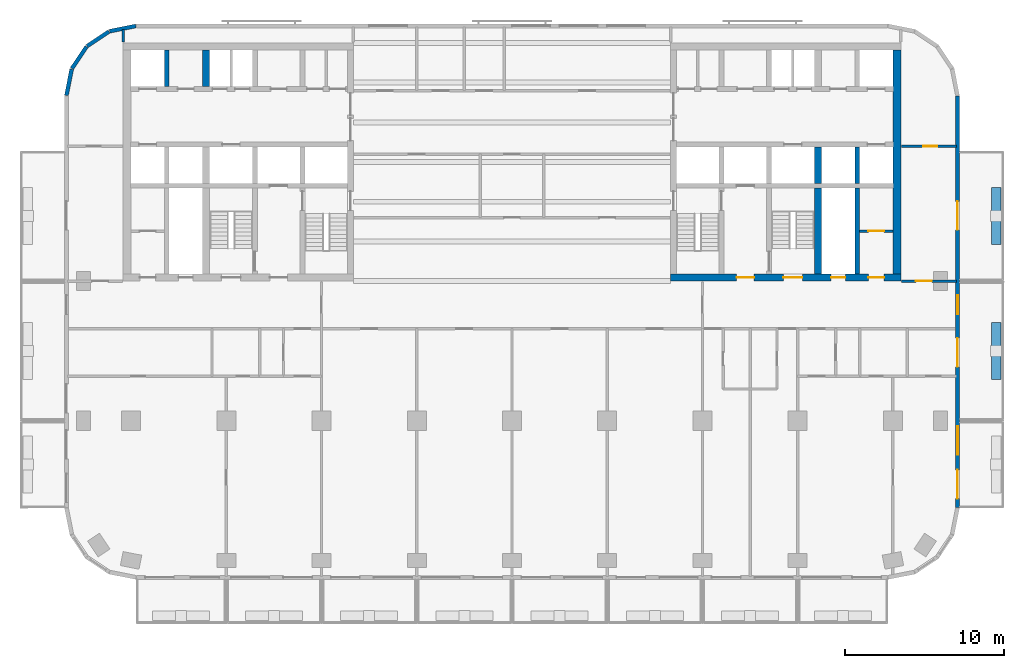
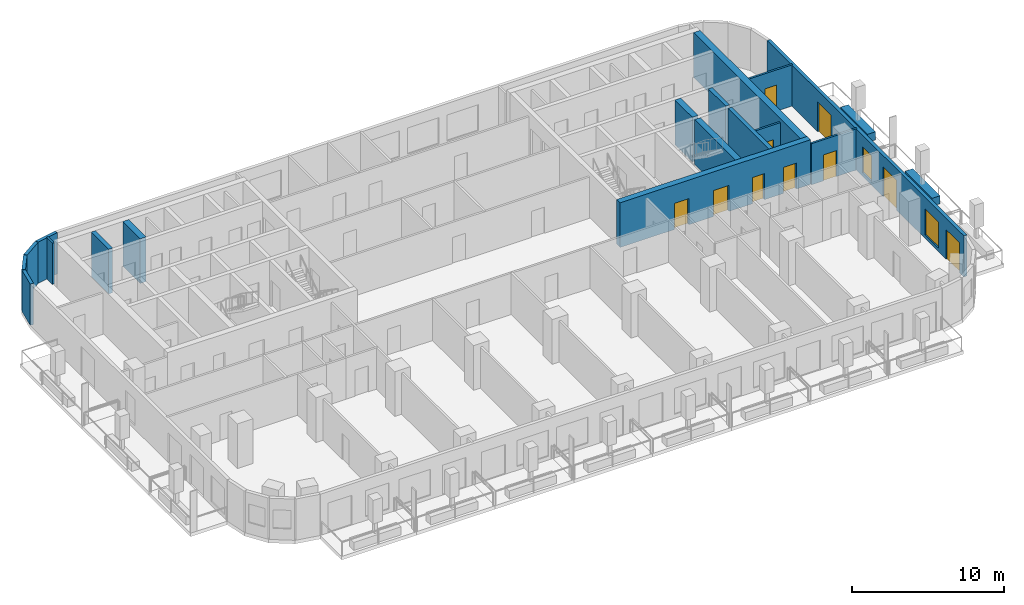
# One storey, part 6 of 12: 19 walls, 10 doors, 2 windows, 12 openings.
"""IFC4 building model written with IfcOpenShell, lengths in metres."""

from ifc_helpers import new_model, si_unit, direction, frame, frame_2d, origin, place, context, subcontext, project, spatial, rectangle, extrude, material, layer, layer_set, type_object, element, fill, save


model = new_model("IFC4")

# Units and contexts
model_context = context("Model", 3, precision=1e-05, world=origin(), true_north=direction((0.0, 1.0)))
body_context = subcontext(model_context, "Body", "Model", "MODEL_VIEW")
ifc_project = project(units=[si_unit("LENGTHUNIT", "METRE"), si_unit("AREAUNIT", "SQUARE_METRE"), si_unit("VOLUMEUNIT", "CUBIC_METRE"), si_unit("PLANEANGLEUNIT", "RADIAN"), si_unit("MASSUNIT", "GRAM", prefix="KILO")], contexts=[model_context])

# Site, building, storey
site_placement = place(None, origin())
site = spatial("IfcSite", under=ifc_project, at=site_placement, CompositionType="ELEMENT")
building_placement = place(site_placement, origin())
building = spatial("IfcBuilding", under=site, at=building_placement, Name="Torana Hotel and Residences", CompositionType="ELEMENT")
storey_placement = place(building_placement, frame((0.0, 0.0, 159.60009765625)))
storey = spatial("IfcBuildingStorey", under=building, at=storey_placement, Name="L41", CompositionType="ELEMENT", Elevation=159.60009765625)

# Walls
ifc_material_1 = material(Name="Concrete C70/85", Category="concrete")
ifc_layer_1 = layer(ifc_material_1, 0.300048828125)
ifc_layer_set_1 = layer_set([ifc_layer_1], Name="CORE WALL 300 C70/85")
wall_type_1 = type_object("IfcWallType", Name="CORE WALL 300 C70/85", PredefinedType="SHEAR", material=ifc_layer_set_1)
for number, where, z_axis, x_axis, name in (
    (1, (-21.75, -2.75, 0.0), (0.0, 0.0, 1.0), (0.0, 1.0, 0.0), "Core wall W mm-N"),
    (2, (21.75, -8.85009765625, 0.0), (0.0, 0.0, 1.0), (0.0, 1.0, 0.0), "Core wall E mm-S"),
):
    element("IfcWall", number, at=place(storey_placement, frame(where, z_axis=z_axis, x_axis=x_axis)), inside=storey, type_object=wall_type_1, Name=name, PredefinedType="SHEAR", context=body_context, shape_type="SweptSolid", body=[
        extrude(rectangle(XDim=2.300048828125, YDim=0.300048828125, at=frame_2d((1.14990234375, 0.0))), origin(), (0.0, 0.0, 1.0), 3.599853515625),
    ])
wall_1_placement = place(storey_placement, frame((21.75, -14.550048828125, 0.0), z_axis=(0.0, 0.0, 1.0), x_axis=(0.0, 1.0, 0.0)))
element("IfcWall", 3, at=wall_1_placement, inside=storey, type_object=wall_type_1, Name="Core wall E mm-band", PredefinedType="SHEAR", context=body_context, shape_type="SweptSolid", body=[
    extrude(rectangle(XDim=5.400146484375, YDim=0.300048828125, at=frame_2d((2.7001953125, 0.0))), origin(), (0.0, 0.0, 1.0), 3.599853515625),
])
ifc_material_2 = material(Name="Concrete C70/85", Category="concrete")
ifc_layer_2 = layer(ifc_material_2, 0.449951171875)
ifc_layer_set_2 = layer_set([ifc_layer_2], Name="CORE WALL 450 C70/85")
wall_type_2 = type_object("IfcWallType", Name="CORE WALL 450 C70/85", PredefinedType="SHEAR", material=ifc_layer_set_2)
wall_2_placement = place(storey_placement, frame((-19.27490234375, -2.75, 0.0), z_axis=(0.0, 0.0, 1.0), x_axis=(0.0, 1.0, 0.0)))
element("IfcWall", 4, at=wall_2_placement, inside=storey, type_object=wall_type_2, Name="Core wall W hm-N", PredefinedType="SHEAR", context=body_context, shape_type="SweptSolid", body=[
    extrude(rectangle(XDim=2.300048828125, YDim=0.449951171875, at=frame_2d((1.14990234375, 0.0))), origin(), (0.0, 0.0, 1.0), 3.599853515625),
])

# Wall, openings, doors
wall_3_placement = place(storey_placement, frame((10.0, -14.77490234375, 0.0), z_axis=(0.0, 0.0, 1.0), x_axis=(1.0, 0.0, 0.0)))
wall_3 = element("IfcWall", 5, at=wall_3_placement, inside=storey, type_object=wall_type_2, Name="Core wall E front", PredefinedType="SHEAR", context=body_context, shape_type="SweptSolid", body=[
    extrude(rectangle(XDim=14.5, YDim=0.449951171875, at=frame_2d((7.25, 0.0))), origin(), (0.0, 0.0, 1.0), 3.599853515625),
])
opening_1_placement = place(wall_3_placement, frame((7.10009765625, 0.0, 0.0)))
opening_1 = element("IfcOpeningElement", 6, at=opening_1_placement, cuts=wall_3, Name="Opening L41-19", PredefinedType="OPENING", context=body_context, shape_type="SweptSolid", body=[
    extrude(rectangle(XDim=1.199951171875, YDim=2.10009765625, at=frame_2d((0.60009765625, 1.050048828125))), frame((0.0, 0.23486328125, 0.0), z_axis=(0.0, -1.0, 0.0), x_axis=(1.0, 0.0, 0.0)), (0.0, 0.0, 1.0), 0.469970703125),
])
opening_2_placement = place(wall_3_placement, frame((4.14990234375, 0.0, 0.0)))
opening_2 = element("IfcOpeningElement", 7, at=opening_2_placement, cuts=wall_3, Name="Opening L41-20", PredefinedType="OPENING", context=body_context, shape_type="SweptSolid", body=[
    extrude(rectangle(XDim=1.10009765625, YDim=2.10009765625, at=frame_2d((0.550048828125, 1.050048828125))), frame((0.0, 0.23486328125, 0.0), z_axis=(0.0, -1.0, 0.0), x_axis=(1.0, 0.0, 0.0)), (0.0, 0.0, 1.0), 0.469970703125),
])
opening_3_placement = place(wall_3_placement, frame((10.10009765625, 0.0, 0.0)))
opening_3 = element("IfcOpeningElement", 8, at=opening_3_placement, cuts=wall_3, Name="Opening L41-21", PredefinedType="OPENING", context=body_context, shape_type="SweptSolid", body=[
    extrude(rectangle(XDim=0.89990234375, YDim=2.10009765625, at=frame_2d((0.449951171875, 1.050048828125))), frame((0.0, 0.23486328125, 0.0), z_axis=(0.0, -1.0, 0.0), x_axis=(1.0, 0.0, 0.0)), (0.0, 0.0, 1.0), 0.469970703125),
])
opening_4_placement = place(wall_3_placement, frame((12.449951171875, 0.0, 0.0)))
opening_4 = element("IfcOpeningElement", 9, at=opening_4_placement, cuts=wall_3, Name="Opening L41-22", PredefinedType="OPENING", context=body_context, shape_type="SweptSolid", body=[
    extrude(rectangle(XDim=1.0, YDim=2.10009765625, at=frame_2d((0.5, 1.050048828125))), frame((0.0, 0.23486328125, 0.0), z_axis=(0.0, -1.0, 0.0), x_axis=(1.0, 0.0, 0.0)), (0.0, 0.0, 1.0), 0.469970703125),
])
ifc_material_3 = material(Name="Steel S235", Category="steel")
door_type_1 = type_object("IfcDoorType", Name="CORE ROOM FIRE DOOR D14 1000x2100", OperationType="SINGLE_SWING_LEFT", PredefinedType="DOOR", material=ifc_material_3)
door_1_placement = place(opening_4_placement, origin())
door_1 = element("IfcDoor", 10, at=door_1_placement, inside=storey, type_object=door_type_1, Name="M-Room-B door L41", OperationType="SINGLE_SWING_RIGHT", OverallHeight=2.10009765625, OverallWidth=1.0, PredefinedType="DOOR", context=body_context, shape_type="SweptSolid", body=[
    extrude(rectangle(XDim=1.0, YDim=2.10009765625, at=frame_2d((0.5, 1.050048828125))), frame((0.0, 0.02490234375, 0.0), z_axis=(0.0, -1.0, 0.0), x_axis=(1.0, 0.0, 0.0)), (0.0, 0.0, 1.0), 0.050048828125),
])
fill(opening_4, door_1)
ifc_material_4 = material(Name="Steel S235", Category="steel")
door_type_2 = type_object("IfcDoorType", Name="FIRE-FIGHTING LOBBY DOOR D8 1100x2100", OperationType="SINGLE_SWING_LEFT", PredefinedType="DOOR", material=ifc_material_4)
door_2_placement = place(opening_2_placement, origin())
door_2 = element("IfcDoor", 11, at=door_2_placement, inside=storey, type_object=door_type_2, Name="FF-lobby door L41", OperationType="SINGLE_SWING_RIGHT", OverallHeight=2.10009765625, OverallWidth=1.10009765625, PredefinedType="DOOR", context=body_context, shape_type="SweptSolid", body=[
    extrude(rectangle(XDim=1.10009765625, YDim=2.10009765625, at=frame_2d((0.550048828125, 1.050048828125))), frame((0.0, 0.02490234375, 0.0), z_axis=(0.0, -1.0, 0.0), x_axis=(1.0, 0.0, 0.0)), (0.0, 0.0, 1.0), 0.050048828125),
])
fill(opening_2, door_2)
ifc_material_5 = material(Name="Steel S235", Category="steel")
door_type_3 = type_object("IfcDoorType", Name="RISER ACCESS DOOR D5 900x2100", OperationType="SINGLE_SWING_LEFT", PredefinedType="DOOR", material=ifc_material_5)
door_3_placement = place(opening_3_placement, origin())
door_3 = element("IfcDoor", 12, at=door_3_placement, inside=storey, type_object=door_type_3, Name="M-Riser door L41", OperationType="SINGLE_SWING_RIGHT", OverallHeight=2.10009765625, OverallWidth=0.89990234375, PredefinedType="DOOR", context=body_context, shape_type="SweptSolid", body=[
    extrude(rectangle(XDim=0.89990234375, YDim=2.10009765625, at=frame_2d((0.449951171875, 1.050048828125))), frame((0.0, 0.02490234375, 0.0), z_axis=(0.0, -1.0, 0.0), x_axis=(1.0, 0.0, 0.0)), (0.0, 0.0, 1.0), 0.050048828125),
])
fill(opening_3, door_3)
ifc_material_6 = material(Name="Steel S235", Category="steel")
door_type_4 = type_object("IfcDoorType", Name="STAIR FIRE DOOR D3 1200x2100", OperationType="SINGLE_SWING_LEFT", PredefinedType="DOOR", material=ifc_material_6)
door_4_placement = place(opening_1_placement, origin())
door_4 = element("IfcDoor", 13, at=door_4_placement, inside=storey, type_object=door_type_4, Name="Stair-B door L41", OperationType="SINGLE_SWING_RIGHT", OverallHeight=2.10009765625, OverallWidth=1.199951171875, PredefinedType="DOOR", context=body_context, shape_type="SweptSolid", body=[
    extrude(rectangle(XDim=1.199951171875, YDim=2.10009765625, at=frame_2d((0.60009765625, 1.050048828125))), frame((0.0, 0.02490234375, 0.0), z_axis=(0.0, -1.0, 0.0), x_axis=(1.0, 0.0, 0.0)), (0.0, 0.0, 1.0), 0.050048828125),
])
fill(opening_1, door_4)

# Walls
wall_4_placement = place(storey_placement, frame((19.27490234375, -8.85009765625, 0.0), z_axis=(0.0, 0.0, 1.0), x_axis=(0.0, 1.0, 0.0)))
element("IfcWall", 14, at=wall_4_placement, inside=storey, type_object=wall_type_2, Name="Core wall E hm-S", PredefinedType="SHEAR", context=body_context, shape_type="SweptSolid", body=[
    extrude(rectangle(XDim=2.300048828125, YDim=0.449951171875, at=frame_2d((1.14990234375, 0.0))), origin(), (0.0, 0.0, 1.0), 3.599853515625),
])
wall_5_placement = place(storey_placement, frame((19.27490234375, -14.550048828125, 0.0), z_axis=(0.0, 0.0, 1.0), x_axis=(0.0, 1.0, 0.0)))
element("IfcWall", 15, at=wall_5_placement, inside=storey, type_object=wall_type_2, Name="Core wall E hm-band", PredefinedType="SHEAR", context=body_context, shape_type="SweptSolid", body=[
    extrude(rectangle(XDim=5.400146484375, YDim=0.449951171875, at=frame_2d((2.7001953125, 0.0))), origin(), (0.0, 0.0, 1.0), 3.599853515625),
])
ifc_material_7 = material(Name="Concrete C70/85", Category="concrete")
ifc_layer_3 = layer(ifc_material_7, 0.5)
ifc_layer_set_3 = layer_set([ifc_layer_3], Name="CORE WALL 500 C70/85")
wall_type_3 = type_object("IfcWallType", Name="CORE WALL 500 C70/85", PredefinedType="SHEAR", material=ifc_layer_set_3)
wall_6_placement = place(storey_placement, frame((24.25, -14.550048828125, 0.0), z_axis=(0.0, 0.0, 1.0), x_axis=(0.0, 1.0, 0.0)))
element("IfcWall", 16, at=wall_6_placement, inside=storey, type_object=wall_type_3, Name="Core wall E outer", PredefinedType="SHEAR", context=body_context, shape_type="SweptSolid", body=[
    extrude(rectangle(XDim=14.10009765625, YDim=0.5, at=frame_2d((7.050048828125, 0.0))), origin(), (0.0, 0.0, 1.0), 3.599853515625),
])
ifc_material_8 = material(Name="Black aluminium composite panel", Category="aluminium")
ifc_layer_4 = layer(ifc_material_8, 0.00390625, Name="Cladding", Category="cladding")
ifc_material_9 = material(Name="Ventilated air cavity")
ifc_layer_5 = layer(ifc_material_9, 0.0400390625, Name="Ventilated cavity", Category="cavity")
ifc_material_10 = material(Name="Mineral wool insulation")
ifc_layer_6 = layer(ifc_material_10, 0.090087890625, Name="Insulation", Category="insulation")
ifc_material_11 = material(Name="Steel S280GD", Category="steel")
ifc_layer_7 = layer(ifc_material_11, 0.092041015625, Name="Steel stud frame", Category="structure")
ifc_material_12 = material(Name="Fire rated plasterboard")
ifc_layer_8 = layer(ifc_material_12, 0.011962890625, Name="Inner board", Category="finish")
ifc_layer_9 = layer(ifc_material_12, 0.011962890625, Name="Second board", Category="finish")
ifc_layer_set_4 = layer_set([ifc_layer_4, ifc_layer_5, ifc_layer_6, ifc_layer_7, ifc_layer_8, ifc_layer_9], Name="EW1 EXTERNAL WALL BLACK METAL CLAD 250")
wall_type_4 = type_object("IfcWallType", Name="EW1 EXTERNAL WALL BLACK METAL CLAD 250", PredefinedType="SOLIDWALL", material=ifc_layer_set_4)
wall_7_placement = place(storey_placement, frame((-23.69970703125, 1.072509765625, 0.0), z_axis=(0.0, 0.0, 1.0), x_axis=(-0.980803419081, -0.194999110559, 0.0)))
element("IfcWall", 17, at=wall_7_placement, inside=storey, type_object=wall_type_4, Name="External wall L41 e0.5", PredefinedType="SOLIDWALL", context=body_context, shape_type="SweptSolid", body=[
    extrude(rectangle(XDim=1.681396484375, YDim=0.25, at=frame_2d((0.8408203125, 0.0))), origin(), (0.0, 0.0, 1.0), 3.31982421875),
])
for number, where, z_axis, x_axis, name in (
    (18, (-25.39404296875, 0.725830078125, 0.0), (0.0, 0.0, 1.0), (-0.831482937015, -0.55555029066, 0.0), "External wall L41 e0.6"),
    (19, (-26.8056640625, -0.228759765625, 0.0), (0.0, 0.0, 1.0), (-0.55555029066, -0.831482937015, 0.0), "External wall L41 e0.7"),
):
    element("IfcWall", number, at=place(storey_placement, frame(where, z_axis=z_axis, x_axis=x_axis)), inside=storey, type_object=wall_type_4, Name=name, PredefinedType="SOLIDWALL", context=body_context, shape_type="SweptSolid", body=[
        extrude(rectangle(XDim=1.65625, YDim=0.25, at=frame_2d((0.828125, 0.0))), origin(), (0.0, 0.0, 1.0), 3.31982421875),
    ])
wall_8_placement = place(storey_placement, frame((-27.74462890625, -1.651123046875, 0.0), z_axis=(0.0, 0.0, 1.0), x_axis=(-0.194999110559, -0.980803419081, 0.0)))
element("IfcWall", 20, at=wall_8_placement, inside=storey, type_object=wall_type_4, Name="External wall L41 e0.8", PredefinedType="SOLIDWALL", context=body_context, shape_type="SweptSolid", body=[
    extrude(rectangle(XDim=1.681396484375, YDim=0.25, at=frame_2d((0.8408203125, 0.0))), origin(), (0.0, 0.0, 1.0), 3.31982421875),
])

# Wall, openings, doors, windows
wall_9_placement = place(storey_placement, frame((28.074951171875, -29.275390625, 0.0), z_axis=(0.0, 0.0, 1.0), x_axis=(0.0, 1.0, 0.0)))
wall_9 = element("IfcWall", 21, at=wall_9_placement, inside=storey, type_object=wall_type_4, Name="External wall L41 e0.19", PredefinedType="SOLIDWALL", context=body_context, shape_type="SweptSolid", body=[
    extrude(rectangle(XDim=25.95068359375, YDim=0.25, at=frame_2d((12.975341796875, 0.0))), origin(), (0.0, 0.0, 1.0), 3.31982421875),
])
opening_5_placement = place(wall_9_placement, frame((0.575439453125, 0.0, 0.0)))
opening_5 = element("IfcOpeningElement", 22, at=opening_5_placement, cuts=wall_9, Name="Opening L41-E09", PredefinedType="OPENING", context=body_context, shape_type="SweptSolid", body=[
    extrude(rectangle(XDim=1.800048828125, YDim=2.39990234375, at=frame_2d((0.89990234375, 1.199951171875))), frame((0.0, 0.135009765625, 0.0), z_axis=(0.0, -1.0, 0.0), x_axis=(1.0, 0.0, 0.0)), (0.0, 0.0, 1.0), 0.27001953125),
])
opening_6_placement = place(wall_9_placement, frame((3.325439453125, 0.0, 0.300048828125)))
opening_6 = element("IfcOpeningElement", 23, at=opening_6_placement, cuts=wall_9, Name="Opening W2", PredefinedType="OPENING", context=body_context, shape_type="SweptSolid", body=[
    extrude(rectangle(XDim=1.800048828125, YDim=2.10009765625, at=frame_2d((0.89990234375, 1.050048828125))), frame((0.0, 0.135009765625, 0.0), z_axis=(0.0, -1.0, 0.0), x_axis=(1.0, 0.0, 0.0)), (0.0, 0.0, 1.0), 0.27001953125),
])
opening_7_placement = place(wall_9_placement, frame((8.87548828125, 0.0, 0.0)))
opening_7 = element("IfcOpeningElement", 24, at=opening_7_placement, cuts=wall_9, Name="Opening L41-E10", PredefinedType="OPENING", context=body_context, shape_type="SweptSolid", body=[
    extrude(rectangle(XDim=1.800048828125, YDim=2.39990234375, at=frame_2d((0.89990234375, 1.199951171875))), frame((0.0, 0.135009765625, 0.0), z_axis=(0.0, -1.0, 0.0), x_axis=(1.0, 0.0, 0.0)), (0.0, 0.0, 1.0), 0.27001953125),
])
opening_8_placement = place(wall_9_placement, frame((12.17529296875, 0.0, 0.300048828125)))
opening_8 = element("IfcOpeningElement", 25, at=opening_8_placement, cuts=wall_9, Name="Opening W7", PredefinedType="OPENING", context=body_context, shape_type="SweptSolid", body=[
    extrude(rectangle(XDim=1.199951171875, YDim=2.10009765625, at=frame_2d((0.60009765625, 1.050048828125))), frame((0.0, 0.135009765625, 0.0), z_axis=(0.0, -1.0, 0.0), x_axis=(1.0, 0.0, 0.0)), (0.0, 0.0, 1.0), 0.27001953125),
])
opening_9_placement = place(wall_9_placement, frame((17.50048828125, 0.0, 0.0)))
opening_9 = element("IfcOpeningElement", 26, at=opening_9_placement, cuts=wall_9, Name="Opening L41-E11", PredefinedType="OPENING", context=body_context, shape_type="SweptSolid", body=[
    extrude(rectangle(XDim=1.800048828125, YDim=2.39990234375, at=frame_2d((0.89990234375, 1.199951171875))), frame((0.0, 0.135009765625, 0.0), z_axis=(0.0, -1.0, 0.0), x_axis=(1.0, 0.0, 0.0)), (0.0, 0.0, 1.0), 0.27001953125),
])
ifc_material_13 = material(Name="Dark glass in black aluminium frame", Category="aluminium")
door_type_5 = type_object("IfcDoorType", Name="DB1 BALCONY DOOR 1800x2400", OperationType="DOUBLE_DOOR_SINGLE_SWING", PredefinedType="DOOR", material=ifc_material_13)
door_5_placement = place(opening_5_placement, origin())
door_5 = element("IfcDoor", 27, at=door_5_placement, inside=storey, type_object=door_type_5, Name="Balcony door L41", OperationType="DOUBLE_DOOR_SINGLE_SWING", OverallHeight=2.39990234375, OverallWidth=1.800048828125, PredefinedType="DOOR", context=body_context, shape_type="SweptSolid", body=[
    extrude(rectangle(XDim=1.800048828125, YDim=2.39990234375, at=frame_2d((0.89990234375, 1.199951171875))), frame((0.0, 0.02490234375, 0.0), z_axis=(0.0, -1.0, 0.0), x_axis=(1.0, 0.0, 0.0)), (0.0, 0.0, 1.0), 0.050048828125),
])
fill(opening_5, door_5)
door_6_placement = place(opening_7_placement, origin())
door_6 = element("IfcDoor", 28, at=door_6_placement, inside=storey, type_object=door_type_5, Name="Balcony door L41", OperationType="DOUBLE_DOOR_SINGLE_SWING", OverallHeight=2.39990234375, OverallWidth=1.800048828125, PredefinedType="DOOR", context=body_context, shape_type="SweptSolid", body=[
    extrude(rectangle(XDim=1.800048828125, YDim=2.39990234375, at=frame_2d((0.89990234375, 1.199951171875))), frame((0.0, 0.02490234375, 0.0), z_axis=(0.0, -1.0, 0.0), x_axis=(1.0, 0.0, 0.0)), (0.0, 0.0, 1.0), 0.050048828125),
])
fill(opening_7, door_6)
door_7_placement = place(opening_9_placement, origin())
door_7 = element("IfcDoor", 29, at=door_7_placement, inside=storey, type_object=door_type_5, Name="Balcony door L41", OperationType="DOUBLE_DOOR_SINGLE_SWING", OverallHeight=2.39990234375, OverallWidth=1.800048828125, PredefinedType="DOOR", context=body_context, shape_type="SweptSolid", body=[
    extrude(rectangle(XDim=1.800048828125, YDim=2.39990234375, at=frame_2d((0.89990234375, 1.199951171875))), frame((0.0, 0.02490234375, 0.0), z_axis=(0.0, -1.0, 0.0), x_axis=(1.0, 0.0, 0.0)), (0.0, 0.0, 1.0), 0.050048828125),
])
fill(opening_9, door_7)
ifc_material_14 = material(Name="Dark glass in black aluminium frame", Category="aluminium")
window_type_1 = type_object("IfcWindowType", Name="W2 HOTEL ROOM WINDOW NARROW 1800x2100", PartitioningType="SINGLE_PANEL", PredefinedType="WINDOW", material=ifc_material_14)
window_1_placement = place(opening_6_placement, origin())
window_1 = element("IfcWindow", 30, at=window_1_placement, inside=storey, type_object=window_type_1, Name="Window L41", OverallHeight=2.10009765625, OverallWidth=1.800048828125, PartitioningType="SINGLE_PANEL", PredefinedType="WINDOW", context=body_context, shape_type="SweptSolid", body=[
    extrude(rectangle(XDim=1.800048828125, YDim=2.10009765625, at=frame_2d((0.89990234375, 1.050048828125))), frame((0.0, 0.030029296875, 0.0), z_axis=(0.0, -1.0, 0.0), x_axis=(1.0, 0.0, 0.0)), (0.0, 0.0, 1.0), 0.06005859375),
])
fill(opening_6, window_1)
ifc_material_15 = material(Name="Dark glass in black aluminium frame", Category="aluminium")
window_type_2 = type_object("IfcWindowType", Name="W7 HOTEL CORRIDOR WINDOW 1200x2100", PartitioningType="SINGLE_PANEL", PredefinedType="WINDOW", material=ifc_material_15)
window_2_placement = place(opening_8_placement, origin())
window_2 = element("IfcWindow", 31, at=window_2_placement, inside=storey, type_object=window_type_2, Name="Window L41", OverallHeight=2.10009765625, OverallWidth=1.199951171875, PartitioningType="SINGLE_PANEL", PredefinedType="WINDOW", context=body_context, shape_type="SweptSolid", body=[
    extrude(rectangle(XDim=1.199951171875, YDim=2.10009765625, at=frame_2d((0.60009765625, 1.050048828125))), frame((0.0, 0.030029296875, 0.0), z_axis=(0.0, -1.0, 0.0), x_axis=(1.0, 0.0, 0.0)), (0.0, 0.0, 1.0), 0.06005859375),
])
fill(opening_8, window_2)

# Wall, opening, door
ifc_material_16 = material(Name="Gypsum plaster")
ifc_layer_10 = layer(ifc_material_16, 0.014892578125, Name="Plaster", Category="finish")
ifc_material_17 = material(Name="Concrete blockwork", Category="masonry")
ifc_layer_11 = layer(ifc_material_17, 0.1201171875, Name="Blockwork", Category="structure")
ifc_layer_12 = layer(ifc_material_16, 0.014892578125, Name="Plaster", Category="finish")
ifc_layer_set_5 = layer_set([ifc_layer_10, ifc_layer_11, ifc_layer_12], Name="FIRE PARTITION 150 BLOCKWORK")
wall_type_5 = type_object("IfcWallType", Name="FIRE PARTITION 150 BLOCKWORK", PredefinedType="PARTITIONING", material=ifc_layer_set_5)
wall_10_placement = place(storey_placement, frame((21.89990234375, -11.85009765625, 0.0), z_axis=(0.0, 0.0, 1.0), x_axis=(1.0, 0.0, 0.0)))
wall_10 = element("IfcWall", 32, at=wall_10_placement, inside=storey, type_object=wall_type_5, Name="Core partition L41", PredefinedType="PARTITIONING", context=body_context, shape_type="SweptSolid", body=[
    extrude(rectangle(XDim=2.10009765625, YDim=0.14990234375, at=frame_2d((1.050048828125, 0.0))), origin(), (0.0, 0.0, 1.0), 3.2998046875),
])
opening_10_placement = place(wall_10_placement, frame((0.550048828125, 0.0, 0.0)))
opening_10 = element("IfcOpeningElement", 33, at=opening_10_placement, cuts=wall_10, Name="Opening L41-32", PredefinedType="OPENING", context=body_context, shape_type="SweptSolid", body=[
    extrude(rectangle(XDim=1.0, YDim=2.10009765625, at=frame_2d((0.5, 1.050048828125))), frame((0.0, 0.0849609375, 0.0), z_axis=(0.0, -1.0, 0.0), x_axis=(1.0, 0.0, 0.0)), (0.0, 0.0, 1.0), 0.169921875),
])
door_8_placement = place(opening_10_placement, origin())
door_8 = element("IfcDoor", 34, at=door_8_placement, inside=storey, type_object=door_type_1, Name="Plant room door L41", OperationType="SINGLE_SWING_RIGHT", OverallHeight=2.10009765625, OverallWidth=1.0, PredefinedType="DOOR", context=body_context, shape_type="SweptSolid", body=[
    extrude(rectangle(XDim=1.0, YDim=2.10009765625, at=frame_2d((0.5, 1.050048828125))), frame((0.0, 0.02490234375, 0.0), z_axis=(0.0, -1.0, 0.0), x_axis=(1.0, 0.0, 0.0)), (0.0, 0.0, 1.0), 0.050048828125),
])
fill(opening_10, door_8)

wall_11_placement = place(storey_placement, frame((24.550048828125, -15.0, 0.0), z_axis=(0.0, 0.0, 1.0), x_axis=(1.0, 0.0, 0.0)))
wall_11 = element("IfcWall", 35, at=wall_11_placement, inside=storey, type_object=wall_type_5, Name="Partition L41", PredefinedType="PARTITIONING", context=body_context, shape_type="SweptSolid", body=[
    extrude(rectangle(XDim=3.469970703125, YDim=0.14990234375, at=frame_2d((1.73486328125, 0.0))), origin(), (0.0, 0.0, 1.0), 3.31982421875),
])
opening_11_placement = place(wall_11_placement, frame((0.89990234375, 0.0, 0.0)))
opening_11 = element("IfcOpeningElement", 36, at=opening_11_placement, cuts=wall_11, Name="Opening L41-40", PredefinedType="OPENING", context=body_context, shape_type="SweptSolid", body=[
    extrude(rectangle(XDim=1.0, YDim=2.10009765625, at=frame_2d((0.5, 1.050048828125))), frame((0.0, 0.0849609375, 0.0), z_axis=(0.0, -1.0, 0.0), x_axis=(1.0, 0.0, 0.0)), (0.0, 0.0, 1.0), 0.169921875),
])
door_9_placement = place(opening_11_placement, origin())
door_9 = element("IfcDoor", 37, at=door_9_placement, inside=storey, type_object=door_type_1, Name="Door L41", OperationType="SINGLE_SWING_LEFT", OverallHeight=2.10009765625, OverallWidth=1.0, PredefinedType="DOOR", context=body_context, shape_type="SweptSolid", body=[
    extrude(rectangle(XDim=1.0, YDim=2.10009765625, at=frame_2d((0.5, 1.050048828125))), frame((0.0, 0.02490234375, 0.0), z_axis=(0.0, -1.0, 0.0), x_axis=(1.0, 0.0, 0.0)), (0.0, 0.0, 1.0), 0.050048828125),
])
fill(opening_11, door_9)

# Wall
ifc_material_18 = material(Name="Gypsum plasterboard")
ifc_layer_13 = layer(ifc_material_18, 0.012451171875, Name="Plasterboard", Category="finish")
ifc_layer_14 = layer(ifc_material_18, 0.012451171875, Name="Plasterboard", Category="finish")
ifc_layer_15 = layer(ifc_material_11, 0.10009765625, Name="Steel studs with mineral wool", Category="insulation")
ifc_layer_16 = layer(ifc_material_18, 0.012451171875, Name="Plasterboard", Category="finish")
ifc_layer_17 = layer(ifc_material_18, 0.012451171875, Name="Plasterboard", Category="finish")
ifc_layer_set_6 = layer_set([ifc_layer_13, ifc_layer_14, ifc_layer_15, ifc_layer_16, ifc_layer_17], Name="PARTITION 150 PLASTERBOARD")
wall_type_6 = type_object("IfcWallType", Name="PARTITION 150 PLASTERBOARD", PredefinedType="PARTITIONING", material=ifc_layer_set_6)
wall_12_placement = place(storey_placement, frame((-24.5, 0.050048828125, 0.0), z_axis=(0.0, 0.0, 1.0), x_axis=(0.0, 1.0, 0.0)))
element("IfcWall", 38, at=wall_12_placement, inside=storey, type_object=wall_type_6, Name="Partition L41", PredefinedType="PARTITIONING", context=body_context, shape_type="SweptSolid", body=[
    extrude(rectangle(XDim=0.807373046875, YDim=0.14990234375, at=frame_2d((0.40380859375, 0.0))), origin(), (0.0, 0.0, 1.0), 3.31982421875),
])

# Wall, opening, door
wall_13_placement = place(storey_placement, frame((24.550048828125, -6.5, 0.0), z_axis=(0.0, 0.0, 1.0), x_axis=(1.0, 0.0, 0.0)))
wall_13 = element("IfcWall", 39, at=wall_13_placement, inside=storey, type_object=wall_type_6, Name="Partition L41", PredefinedType="PARTITIONING", context=body_context, shape_type="SweptSolid", body=[
    extrude(rectangle(XDim=3.469970703125, YDim=0.14990234375, at=frame_2d((1.73486328125, 0.0))), origin(), (0.0, 0.0, 1.0), 3.31982421875),
])
opening_12_placement = place(wall_13_placement, frame((1.35009765625, 0.0, 0.0)))
opening_12 = element("IfcOpeningElement", 40, at=opening_12_placement, cuts=wall_13, Name="Opening L41-66", PredefinedType="OPENING", context=body_context, shape_type="SweptSolid", body=[
    extrude(rectangle(XDim=0.89990234375, YDim=2.10009765625, at=frame_2d((0.449951171875, 1.050048828125))), frame((0.0, 0.0849609375, 0.0), z_axis=(0.0, -1.0, 0.0), x_axis=(1.0, 0.0, 0.0)), (0.0, 0.0, 1.0), 0.169921875),
])
ifc_material_19 = material(Name="Timber door, oiled ash", Category="wood")
door_type_6 = type_object("IfcDoorType", Name="ROOM DOOR D7 900x2100", OperationType="SINGLE_SWING_LEFT", PredefinedType="DOOR", material=ifc_material_19)
door_10_placement = place(opening_12_placement, origin())
door_10 = element("IfcDoor", 41, at=door_10_placement, inside=storey, type_object=door_type_6, Name="Door L41", OperationType="SINGLE_SWING_LEFT", OverallHeight=2.10009765625, OverallWidth=0.89990234375, PredefinedType="DOOR", context=body_context, shape_type="SweptSolid", body=[
    extrude(rectangle(XDim=0.89990234375, YDim=2.10009765625, at=frame_2d((0.449951171875, 1.050048828125))), frame((0.0, 0.02490234375, 0.0), z_axis=(0.0, -1.0, 0.0), x_axis=(1.0, 0.0, 0.0)), (0.0, 0.0, 1.0), 0.050048828125),
])
fill(opening_12, door_10)

# Walls
ifc_material_20 = material(Name="Concrete C40/50 precast", Category="concrete")
ifc_layer_18 = layer(ifc_material_20, 0.10009765625, Name="Planter shell", Category="structure")
ifc_material_21 = material(Name="Root resistant membrane")
ifc_layer_19 = layer(ifc_material_21, 0.00390625, Name="Waterproofing membrane", Category="membrane")
ifc_material_22 = material(Name="Drainage board with filter fleece")
ifc_layer_20 = layer(ifc_material_22, 0.02001953125, Name="Drainage board", Category="drainage")
ifc_material_23 = material(Name="Growing medium")
ifc_layer_21 = layer(ifc_material_23, 0.47607421875, Name="Planting substrate", Category="soil")
ifc_layer_set_7 = layer_set([ifc_layer_18, ifc_layer_19, ifc_layer_20, ifc_layer_21], Name="PL1 BALCONY PLANTER 600")
wall_type_7 = type_object("IfcWallType", Name="PL1 BALCONY PLANTER 600", PredefinedType="USERDEFINED", material=ifc_layer_set_7)
for number, where, z_axis, x_axis, name in (
    (42, (30.5, -17.60009765625, 0.0), (0.0, 0.0, 1.0), (0.0, -1.0, 0.0), "Planter 13"),
    (43, (30.5, -9.10009765625, 0.0), (0.0, 0.0, 1.0), (0.0, -1.0, 0.0), "Planter 14"),
):
    element("IfcWall", number, at=place(storey_placement, frame(where, z_axis=z_axis, x_axis=x_axis)), inside=storey, type_object=wall_type_7, Name=name, ObjectType="PLANTER", PredefinedType="USERDEFINED", context=body_context, shape_type="SweptSolid", body=[
        extrude(rectangle(XDim=3.599853515625, YDim=0.60009765625, at=frame_2d((1.7998046875, 0.0))), origin(), (0.0, 0.0, 1.0), 0.64990234375),
    ])

save(model, "model.ifc")
